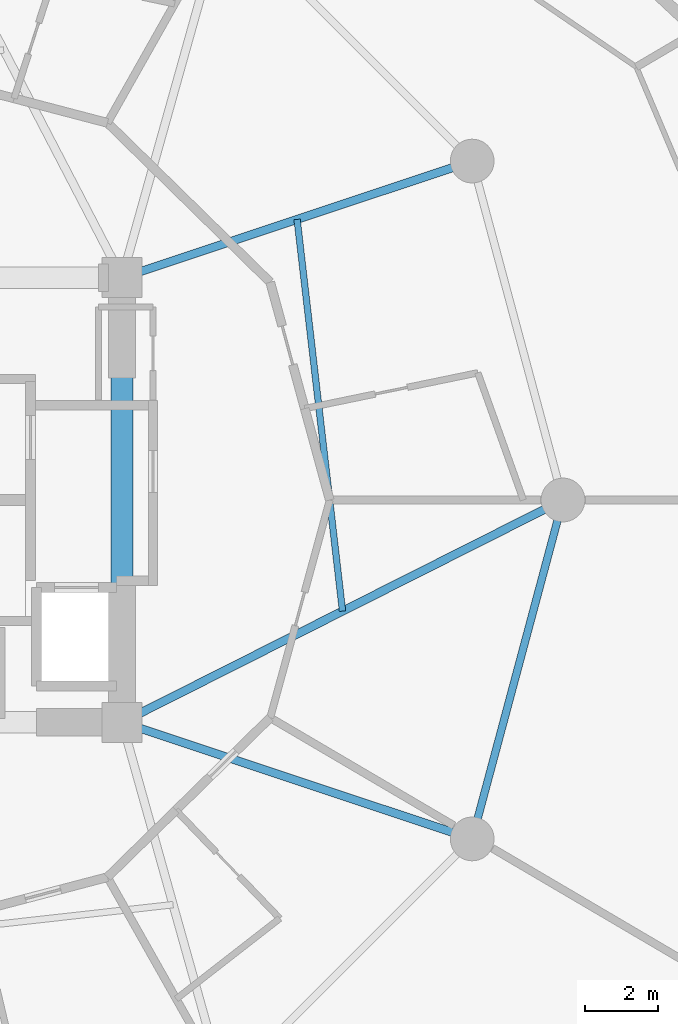
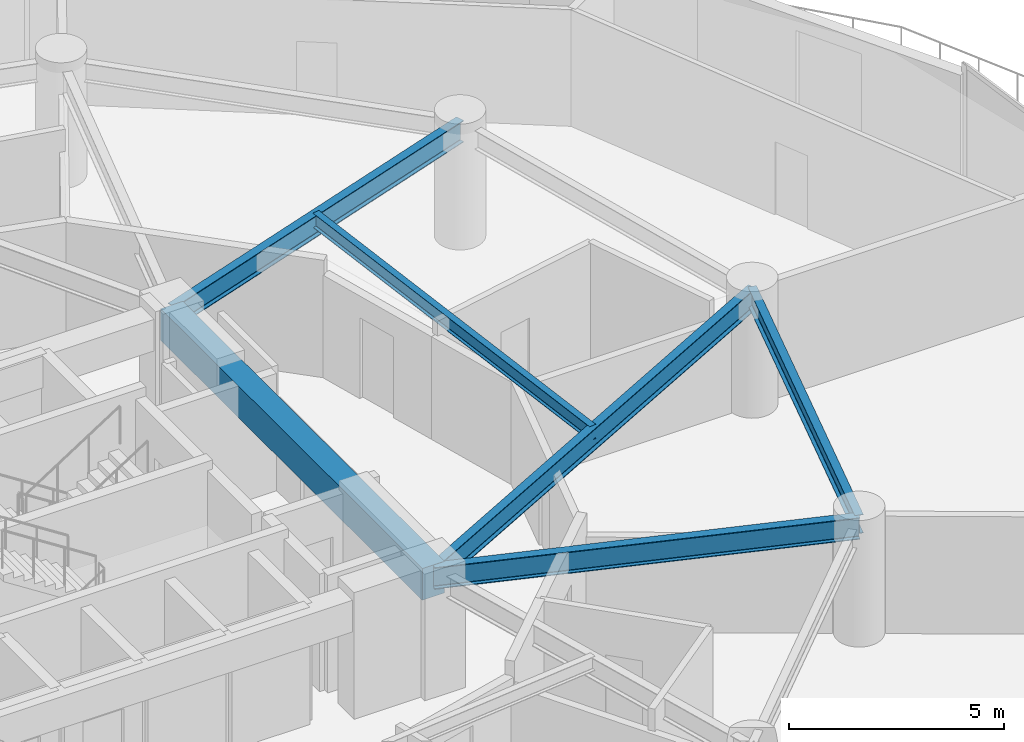
# One storey, part 10 of 25: 6 beams.
"""IFC4 building model written with IfcOpenShell, lengths in metres."""

from ifc_helpers import new_model, si_unit, direction, frame, origin, origin_2d, place, context, subcontext, project, spatial, rectangle, i_section, extrude, material, material_profile, profile_set, type_object, element, save


model = new_model("IFC4")

# Units and contexts
model_context = context("Model", 3, precision=1e-05, world=origin(), true_north=direction((0.0, 1.0)))
body_context = subcontext(model_context, "Body", "Model", "MODEL_VIEW")
ifc_project = project(units=[si_unit("LENGTHUNIT", "METRE"), si_unit("AREAUNIT", "SQUARE_METRE"), si_unit("VOLUMEUNIT", "CUBIC_METRE"), si_unit("PLANEANGLEUNIT", "RADIAN"), si_unit("MASSUNIT", "GRAM", prefix="KILO")], contexts=[model_context])

# Site, building, storey
site_placement = place(None, origin())
site = spatial("IfcSite", under=ifc_project, at=site_placement, CompositionType="ELEMENT")
building_placement = place(site_placement, origin())
building = spatial("IfcBuilding", under=site, at=building_placement, Name="Solvirekh Grand Hotel", CompositionType="ELEMENT")
storey_placement = place(building_placement, frame((0.0, 0.0, 28.39990234375)))
storey = spatial("IfcBuildingStorey", under=building, at=storey_placement, Name="L05", CompositionType="ELEMENT", Elevation=28.39990234375)

# Beams
ifc_material_1 = material(Name="Concrete C50/60", Category="concrete")
ifc_material_profile_1 = material_profile(ifc_material_1, rectangle(XDim=0.60009765625, YDim=0.89990234375, at=origin_2d()), Name="RC BEAM 600X900")
ifc_profile_set_1 = profile_set([ifc_material_profile_1], Name="Concrete C50/60")
beam_type_1 = type_object("IfcBeamType", Name="Beam_Core_RC900", PredefinedType="BEAM", material=ifc_profile_set_1)
beam_1_placement = place(storey_placement, frame((6.5, -6.10009765625, 2.89013671875), z_axis=(0.0, 1.0, 0.0), x_axis=(-1.0, 0.0, 0.0)))
element("IfcBeam", 1, at=beam_1_placement, inside=storey, type_object=beam_type_1, Name="L05 core coupling ring beam 2", PredefinedType="BEAM", context=body_context, shape_type="SweptSolid", body=[
    extrude(rectangle(XDim=0.60009765625, YDim=0.89990234375, at=origin_2d()), origin(), (0.0, 0.0, 1.0), 12.2001953125),
])
ifc_material_2 = material(Name="Steel S355", Category="steel")
ifc_material_profile_2 = material_profile(ifc_material_2, i_section(OverallWidth=0.22802734375, OverallDepth=0.616943359375, WebThickness=0.012939453125, FlangeThickness=0.02001953125, FilletRadius=0.014892578125, at=origin_2d()), Name="W610X140")
ifc_profile_set_2 = profile_set([ifc_material_profile_2], Name="Steel S355")
beam_type_2 = type_object("IfcBeamType", Name="Beam_Radial_W610", PredefinedType="BEAM", material=ifc_profile_set_2)
beam_2_placement = place(storey_placement, frame((6.5, -6.10009765625, 3.031005859375), z_axis=(0.892944939011, 0.450165898191, 0.0), x_axis=(-0.450165898191, 0.892944939011, 0.0)))
element("IfcBeam", 2, at=beam_2_placement, inside=storey, type_object=beam_type_2, Name="L05 radial floor beam R01", PredefinedType="BEAM", context=body_context, shape_type="SweptSolid", body=[
    extrude(i_section(OverallWidth=0.22802734375, OverallDepth=0.616943359375, WebThickness=0.012939453125, FlangeThickness=0.02001953125, FilletRadius=0.014892578125, at=origin_2d()), origin(), (0.0, 0.0, 1.0), 13.55078125),
])
for number, where, z_axis, x_axis, name in (
    (3, (6.5, 6.10009765625, 3.031005859375), (0.948762825819, 0.315989082635, 0.0), (-0.315989082635, 0.948762825819, 0.0), "L05 radial floor beam R02"),
    (4, (6.5, -6.10009765625, 3.031005859375), (0.948762825819, -0.315989082635, 0.0), (0.315989082635, 0.948762825819, 0.0), "L05 radial floor beam R12"),
):
    element("IfcBeam", number, at=place(storey_placement, frame(where, z_axis=z_axis, x_axis=x_axis)), inside=storey, type_object=beam_type_2, Name=name, PredefinedType="BEAM", context=body_context, shape_type="SweptSolid", body=[
        extrude(i_section(OverallWidth=0.22802734375, OverallDepth=0.616943359375, WebThickness=0.012939453125, FlangeThickness=0.02001953125, FilletRadius=0.014892578125, at=origin_2d()), origin(), (0.0, 0.0, 1.0), 10.126708984375),
    ])
ifc_material_profile_3 = material_profile(ifc_material_2, i_section(OverallWidth=0.177978515625, OverallDepth=0.406982421875, WebThickness=0.008056640625, FlangeThickness=0.011962890625, FilletRadius=0.011962890625, at=origin_2d()), Name="W410X60")
ifc_profile_set_3 = profile_set([ifc_material_profile_3], Name="Steel S355")
beam_type_3 = type_object("IfcBeamType", Name="Joist_Floor_W410", PredefinedType="JOIST", material=ifc_profile_set_3)
beam_3_placement = place(storey_placement, frame((12.550048828125, -3.050048828125, 3.13720703125), z_axis=(-0.115144710849, 0.993348728073, 0.0), x_axis=(-0.993348728073, -0.115144710849, 0.0)))
element("IfcBeam", 5, at=beam_3_placement, inside=storey, type_object=beam_type_3, Name="L05 secondary composite floor joist 1", PredefinedType="JOIST", context=body_context, shape_type="SweptSolid", body=[
    extrude(i_section(OverallWidth=0.177978515625, OverallDepth=0.406982421875, WebThickness=0.008056640625, FlangeThickness=0.011962890625, FilletRadius=0.011962890625, at=origin_2d()), origin(), (0.0, 0.0, 1.0), 10.822021484375),
])
ifc_material_profile_4 = material_profile(ifc_material_2, i_section(OverallWidth=0.208984375, OverallDepth=0.532958984375, WebThickness=0.010009765625, FlangeThickness=0.014892578125, FilletRadius=0.013916015625, at=origin_2d()), Name="W530X92")
ifc_profile_set_4 = profile_set([ifc_material_profile_4], Name="Steel S355")
beam_type_4 = type_object("IfcBeamType", Name="Spandrel_Ring_W530", PredefinedType="SPANDREL", material=ifc_profile_set_4)
beam_4_placement = place(storey_placement, frame((16.10791015625, -9.300048828125, 3.072998046875), z_axis=(0.258842973314, 0.965919414426, 0.0), x_axis=(-0.965919414426, 0.258842973314, 0.0)))
element("IfcBeam", 6, at=beam_4_placement, inside=storey, type_object=beam_type_4, Name="L05 perimeter spandrel beam 12", PredefinedType="SPANDREL", context=body_context, shape_type="SweptSolid", body=[
    extrude(i_section(OverallWidth=0.208984375, OverallDepth=0.532958984375, WebThickness=0.010009765625, FlangeThickness=0.014892578125, FilletRadius=0.013916015625, at=origin_2d()), origin(), (0.0, 0.0, 1.0), 9.628173828125),
])

save(model, "model.ifc")
